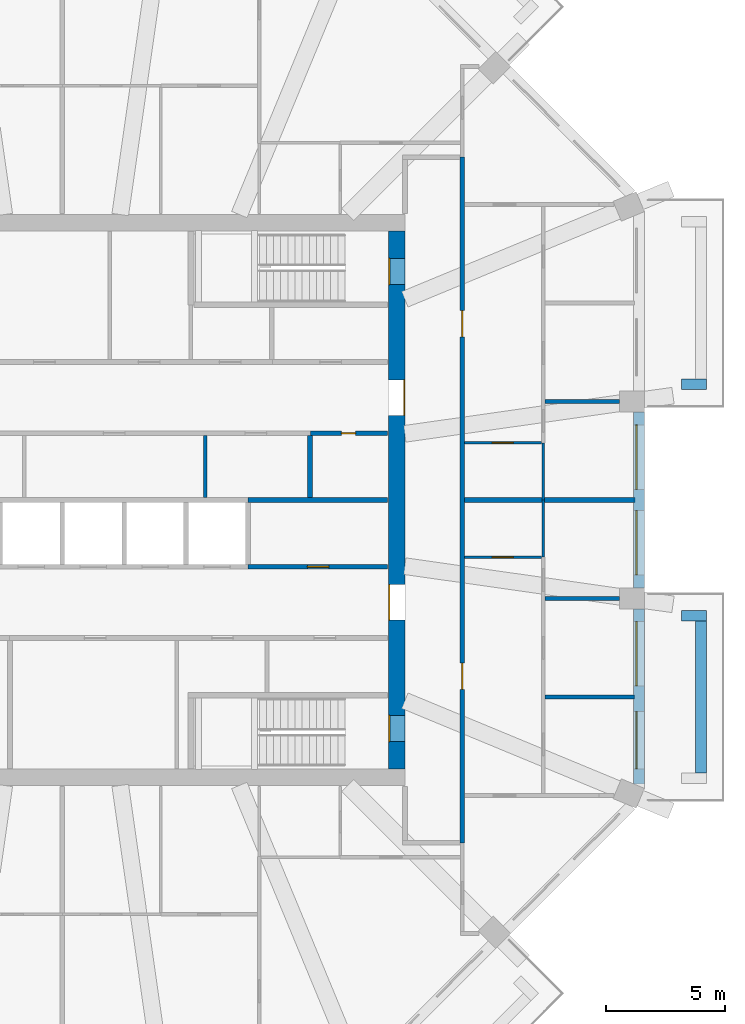
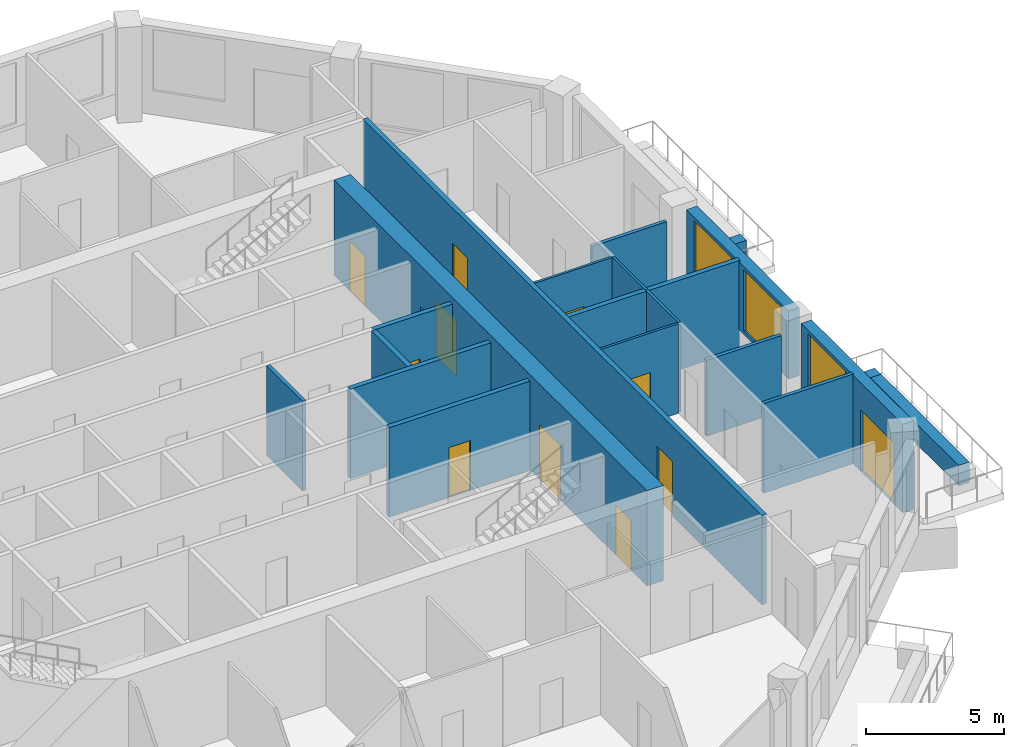
# One storey, part 6 of 12: 20 walls, 11 doors, 3 windows, 14 openings.
"""IFC4 building model written with IfcOpenShell, lengths in metres."""

from ifc_helpers import new_model, si_unit, direction, frame, frame_2d, origin, place, context, subcontext, project, spatial, rectangle, extrude, material, layer, layer_set, type_object, element, fill, save


model = new_model("IFC4")

# Units and contexts
model_context = context("Model", 3, precision=1e-05, world=origin(), true_north=direction((0.0, 1.0)))
body_context = subcontext(model_context, "Body", "Model", "MODEL_VIEW")
ifc_project = project(units=[si_unit("LENGTHUNIT", "METRE"), si_unit("AREAUNIT", "SQUARE_METRE"), si_unit("VOLUMEUNIT", "CUBIC_METRE"), si_unit("PLANEANGLEUNIT", "RADIAN"), si_unit("MASSUNIT", "GRAM", prefix="KILO")], contexts=[model_context])

# Site, building, storey
site_placement = place(None, origin())
site = spatial("IfcSite", under=ifc_project, at=site_placement, CompositionType="ELEMENT")
building_placement = place(site_placement, origin())
building = spatial("IfcBuilding", under=site, at=building_placement, Name="Msitu Wima Residences", CompositionType="ELEMENT")
storey_placement = place(building_placement, frame((0.0, 0.0, 162.300048828125)))
storey = spatial("IfcBuildingStorey", under=building, at=storey_placement, Name="L37", CompositionType="ELEMENT", Elevation=162.300048828125)

# Walls
ifc_material_1 = material(Name="Facing brick")
ifc_layer_1 = layer(ifc_material_1, 0.06494140625, Name="Facing brick")
ifc_material_2 = material(Name="Concrete C40/50", Category="concrete")
ifc_layer_2 = layer(ifc_material_2, 0.156005859375, Name="Concrete C40/50")
ifc_material_3 = material(Name="Waterproofing membrane")
ifc_layer_3 = layer(ifc_material_3, 0.00390625, Name="Waterproofing membrane")
ifc_material_4 = material(Name="Planting soil and planting")
ifc_layer_4 = layer(ifc_material_4, 0.22509765625, Name="Planting soil and planting")
ifc_layer_set_1 = layer_set([ifc_layer_1, ifc_layer_2, ifc_layer_3, ifc_layer_4], Name="Concrete C40/50")
wall_type_1 = type_object("IfcWallType", Name="Balcony planter PLANTER PL450", PredefinedType="USERDEFINED", material=ifc_layer_set_1)
wall_1_placement = place(storey_placement, frame((26.824951171875, -11.461669921875, 0.0), z_axis=(0.0, 0.0, 1.0), x_axis=(0.0, 1.0, 0.0)))
element("IfcWall", 1, at=wall_1_placement, inside=storey, type_object=wall_type_1, Name="Balcony planter E0 L37", ObjectType="PLANTER", PredefinedType="USERDEFINED", context=body_context, shape_type="SweptSolid", body=[
    extrude(rectangle(XDim=6.37451171875, YDim=0.449951171875, at=frame_2d((3.187255859375, 0.0))), origin(), (0.0, 0.0, 1.0), 0.89990234375),
])
for number, where, z_axis, x_axis, name in (
    (2, (26.0, -4.8623046875, 0.0), (0.0, 0.0, 1.0), (1.0, 0.0, 0.0), "Balcony planter E0 L37"),
    (3, (26.0, 4.8623046875, 0.0), (0.0, 0.0, 1.0), (1.0, 0.0, 0.0), "Balcony planter E2 L37"),
):
    element("IfcWall", number, at=place(storey_placement, frame(where, z_axis=z_axis, x_axis=x_axis)), inside=storey, type_object=wall_type_1, Name=name, ObjectType="PLANTER", PredefinedType="USERDEFINED", context=body_context, shape_type="SweptSolid", body=[
        extrude(rectangle(XDim=1.050048828125, YDim=0.449951171875, at=frame_2d((0.52490234375, 0.0))), origin(), (0.0, 0.0, 1.0), 0.89990234375),
    ])

# Wall, openings, door, window
ifc_material_5 = material(Name="Brick (red buff mix)", Category="masonry")
ifc_layer_5 = layer(ifc_material_5, 0.449951171875)
ifc_layer_set_2 = layer_set([ifc_layer_5], Name="Brick (red buff mix)")
wall_type_2 = type_object("IfcWallType", Name="Brick infill wall BW450", PredefinedType="SOLIDWALL", material=ifc_layer_set_2)
wall_2_placement = place(storey_placement, frame((24.22509765625, -11.9248046875, 0.0), z_axis=(0.0, 0.0, 1.0), x_axis=(0.0, 1.0, 0.0)))
wall_2 = element("IfcWall", 4, at=wall_2_placement, inside=storey, type_object=wall_type_2, Name="Brick infill wall L37 E0", PredefinedType="SOLIDWALL", context=body_context, shape_type="SweptSolid", body=[
    extrude(rectangle(XDim=7.337646484375, YDim=0.449951171875, at=frame_2d((3.6689453125, 0.0))), origin(), (0.0, 0.0, 1.0), 3.89990234375),
])
opening_1_placement = place(wall_2_placement, frame((0.63427734375, 0.0, 0.0)))
opening_1 = element("IfcOpeningElement", 5, at=opening_1_placement, cuts=wall_2, Name="Opening D37.001", PredefinedType="OPENING", context=body_context, shape_type="SweptSolid", body=[
    extrude(rectangle(XDim=2.39990234375, YDim=2.699951171875, at=frame_2d((1.199951171875, 1.35009765625))), frame((0.0, 0.23486328125, 0.0), z_axis=(0.0, -1.0, 0.0), x_axis=(1.0, 0.0, 0.0)), (0.0, 0.0, 1.0), 0.469970703125),
])
opening_2_placement = place(wall_2_placement, frame((4.11865234375, 0.0, 1.050048828125)))
opening_2 = element("IfcOpeningElement", 6, at=opening_2_placement, cuts=wall_2, Name="Opening W37.001", PredefinedType="OPENING", context=body_context, shape_type="SweptSolid", body=[
    extrude(rectangle(XDim=2.699951171875, YDim=2.699951171875, at=frame_2d((1.35009765625, 1.35009765625))), frame((0.0, 0.23486328125, 0.0), z_axis=(0.0, -1.0, 0.0), x_axis=(1.0, 0.0, 0.0)), (0.0, 0.0, 1.0), 0.469970703125),
])
ifc_material_6 = material(Name="Anodised aluminium, bronze finish, clear low-emissivity double glazing", Category="aluminium")
door_type_1 = type_object("IfcDoorType", Name="Balcony door D2400x2700", OperationType="SLIDING_TO_LEFT", PredefinedType="DOOR", material=ifc_material_6)
door_1_placement = place(opening_1_placement, origin())
door_1 = element("IfcDoor", 7, at=door_1_placement, inside=storey, type_object=door_type_1, Name="Balcony door L37 E0", OperationType="SINGLE_SWING_LEFT", OverallHeight=2.699951171875, OverallWidth=2.39990234375, PredefinedType="DOOR", context=body_context, shape_type="SweptSolid", body=[
    extrude(rectangle(XDim=2.39990234375, YDim=2.699951171875, at=frame_2d((1.199951171875, 1.35009765625))), frame((0.0, 0.1298828125, 0.0), z_axis=(0.0, -1.0, 0.0), x_axis=(1.0, 0.0, 0.0)), (0.0, 0.0, 1.0), 0.050048828125),
])
fill(opening_1, door_1)
window_type = type_object("IfcWindowType", Name="Window W2700x2700", PartitioningType="DOUBLE_PANEL_VERTICAL", PredefinedType="WINDOW", material=ifc_material_6)
window_1_placement = place(opening_2_placement, origin())
window_1 = element("IfcWindow", 8, at=window_1_placement, inside=storey, type_object=window_type, Name="Window L37 E0.2", OverallHeight=2.699951171875, OverallWidth=2.699951171875, PartitioningType="SINGLE_PANEL", PredefinedType="WINDOW", context=body_context, shape_type="SweptSolid", body=[
    extrude(rectangle(XDim=2.699951171875, YDim=2.699951171875, at=frame_2d((1.35009765625, 1.35009765625))), frame((0.0, 0.135009765625, 0.0), z_axis=(0.0, -1.0, 0.0), x_axis=(1.0, 0.0, 0.0)), (0.0, 0.0, 1.0), 0.06005859375),
])
fill(opening_2, window_1)

# Wall, openings, windows
wall_3_placement = place(storey_placement, frame((24.22509765625, -3.687255859375, 0.89990234375), z_axis=(0.0, 0.0, 1.0), x_axis=(0.0, 1.0, 0.0)))
wall_3 = element("IfcWall", 9, at=wall_3_placement, inside=storey, type_object=wall_type_2, Name="Brick infill wall L37 E1", PredefinedType="SOLIDWALL", context=body_context, shape_type="SweptSolid", body=[
    extrude(rectangle(XDim=7.37451171875, YDim=0.449951171875, at=frame_2d((3.687255859375, 0.0))), origin(), (0.0, 0.0, 1.0), 3.0),
])
opening_3_placement = place(wall_3_placement, frame((0.537353515625, 0.0, 0.14990234375)))
opening_3 = element("IfcOpeningElement", 10, at=opening_3_placement, cuts=wall_3, Name="Opening W37.002", PredefinedType="OPENING", context=body_context, shape_type="SweptSolid", body=[
    extrude(rectangle(XDim=2.699951171875, YDim=2.699951171875, at=frame_2d((1.35009765625, 1.35009765625))), frame((0.0, 0.23486328125, 0.0), z_axis=(0.0, -1.0, 0.0), x_axis=(1.0, 0.0, 0.0)), (0.0, 0.0, 1.0), 0.469970703125),
])
opening_4_placement = place(wall_3_placement, frame((4.13720703125, 0.0, 0.14990234375)))
opening_4 = element("IfcOpeningElement", 11, at=opening_4_placement, cuts=wall_3, Name="Opening W37.003", PredefinedType="OPENING", context=body_context, shape_type="SweptSolid", body=[
    extrude(rectangle(XDim=2.699951171875, YDim=2.699951171875, at=frame_2d((1.35009765625, 1.35009765625))), frame((0.0, 0.23486328125, 0.0), z_axis=(0.0, -1.0, 0.0), x_axis=(1.0, 0.0, 0.0)), (0.0, 0.0, 1.0), 0.469970703125),
])
window_2_placement = place(opening_3_placement, origin())
window_2 = element("IfcWindow", 12, at=window_2_placement, inside=storey, type_object=window_type, Name="Window L37 E1.1", OverallHeight=2.699951171875, OverallWidth=2.699951171875, PartitioningType="SINGLE_PANEL", PredefinedType="WINDOW", context=body_context, shape_type="SweptSolid", body=[
    extrude(rectangle(XDim=2.699951171875, YDim=2.699951171875, at=frame_2d((1.35009765625, 1.35009765625))), frame((0.0, 0.135009765625, 0.0), z_axis=(0.0, -1.0, 0.0), x_axis=(1.0, 0.0, 0.0)), (0.0, 0.0, 1.0), 0.06005859375),
])
fill(opening_3, window_2)
window_3_placement = place(opening_4_placement, origin())
window_3 = element("IfcWindow", 13, at=window_3_placement, inside=storey, type_object=window_type, Name="Window L37 E1.2", OverallHeight=2.699951171875, OverallWidth=2.699951171875, PartitioningType="SINGLE_PANEL", PredefinedType="WINDOW", context=body_context, shape_type="SweptSolid", body=[
    extrude(rectangle(XDim=2.699951171875, YDim=2.699951171875, at=frame_2d((1.35009765625, 1.35009765625))), frame((0.0, 0.135009765625, 0.0), z_axis=(0.0, -1.0, 0.0), x_axis=(1.0, 0.0, 0.0)), (0.0, 0.0, 1.0), 0.06005859375),
])
fill(opening_4, window_3)

# Wall, openings, doors
ifc_material_7 = material(Name="Concrete C60/75", Category="concrete")
ifc_layer_6 = layer(ifc_material_7, 0.699951171875)
ifc_layer_set_3 = layer_set([ifc_layer_6], Name="Concrete C60/75")
wall_type_3 = type_object("IfcWallType", Name="Core wall CW700 C60/75", PredefinedType="SHEAR", material=ifc_layer_set_3)
wall_4_placement = place(storey_placement, frame((14.050048828125, -11.300048828125, 0.0), z_axis=(0.0, 0.0, 1.0), x_axis=(0.0, 1.0, 0.0)))
wall_4 = element("IfcWall", 14, at=wall_4_placement, inside=storey, type_object=wall_type_3, Name="Core wall", PredefinedType="SHEAR", context=body_context, shape_type="SweptSolid", body=[
    extrude(rectangle(XDim=22.60009765625, YDim=0.699951171875, at=frame_2d((11.300048828125, 0.0))), origin(), (0.0, 0.0, 1.0), 4.199951171875),
])
opening_5_placement = place(wall_4_placement, frame((20.35009765625, 0.0, 0.0)))
opening_5 = element("IfcOpeningElement", 15, at=opening_5_placement, cuts=wall_4, Name="Opening D37.084", PredefinedType="OPENING", context=body_context, shape_type="SweptSolid", body=[
    extrude(rectangle(XDim=1.10009765625, YDim=2.199951171875, at=frame_2d((0.550048828125, 1.10009765625))), frame((0.0, 0.35986328125, 0.0), z_axis=(0.0, -1.0, 0.0), x_axis=(1.0, 0.0, 0.0)), (0.0, 0.0, 1.0), 0.719970703125),
])
opening_6_placement = place(wall_4_placement, frame((1.14990234375, 0.0, 0.0)))
opening_6 = element("IfcOpeningElement", 16, at=opening_6_placement, cuts=wall_4, Name="Opening D37.085", PredefinedType="OPENING", context=body_context, shape_type="SweptSolid", body=[
    extrude(rectangle(XDim=1.10009765625, YDim=2.199951171875, at=frame_2d((0.550048828125, 1.10009765625))), frame((0.0, 0.35986328125, 0.0), z_axis=(0.0, -1.0, 0.0), x_axis=(1.0, 0.0, 0.0)), (0.0, 0.0, 1.0), 0.719970703125),
])
opening_7_placement = place(wall_4_placement, frame((14.85009765625, 0.0, 0.0)))
opening_7 = element("IfcOpeningElement", 17, at=opening_7_placement, cuts=wall_4, Name="Opening D37.073", PredefinedType="OPENING", context=body_context, shape_type="SweptSolid", body=[
    extrude(rectangle(XDim=1.5, YDim=2.39990234375, at=frame_2d((0.75, 1.199951171875))), frame((0.0, 0.35986328125, 0.0), z_axis=(0.0, -1.0, 0.0), x_axis=(1.0, 0.0, 0.0)), (0.0, 0.0, 1.0), 0.719970703125),
])
opening_8_placement = place(wall_4_placement, frame((6.25, 0.0, 0.0)))
opening_8 = element("IfcOpeningElement", 18, at=opening_8_placement, cuts=wall_4, Name="Opening D37.074", PredefinedType="OPENING", context=body_context, shape_type="SweptSolid", body=[
    extrude(rectangle(XDim=1.5, YDim=2.39990234375, at=frame_2d((0.75, 1.199951171875))), frame((0.0, 0.35986328125, 0.0), z_axis=(0.0, -1.0, 0.0), x_axis=(1.0, 0.0, 0.0)), (0.0, 0.0, 1.0), 0.719970703125),
])
ifc_material_8 = material(Name="Steel framed glazed door, fire resisting", Category="steel")
door_type_2 = type_object("IfcDoorType", Name="Lobby door D07 1500x2400", OperationType="DOUBLE_DOOR_SINGLE_SWING", PredefinedType="DOOR", material=ifc_material_8)
door_2_placement = place(opening_7_placement, origin())
door_2 = element("IfcDoor", 19, at=door_2_placement, inside=storey, type_object=door_type_2, Name="Lobby door", OperationType="DOUBLE_DOOR_SINGLE_SWING", OverallHeight=2.39990234375, OverallWidth=1.5, PredefinedType="DOOR", context=body_context, shape_type="SweptSolid", body=[
    extrude(rectangle(XDim=1.5, YDim=2.39990234375, at=frame_2d((0.75, 1.199951171875))), frame((0.0, -0.294921875, 0.0), z_axis=(0.0, -1.0, 0.0), x_axis=(1.0, 0.0, 0.0)), (0.0, 0.0, 1.0), 0.050048828125),
])
fill(opening_7, door_2)
door_3_placement = place(opening_8_placement, origin())
door_3 = element("IfcDoor", 20, at=door_3_placement, inside=storey, type_object=door_type_2, Name="Lobby door", OperationType="DOUBLE_DOOR_SINGLE_SWING", OverallHeight=2.39990234375, OverallWidth=1.5, PredefinedType="DOOR", context=body_context, shape_type="SweptSolid", body=[
    extrude(rectangle(XDim=1.5, YDim=2.39990234375, at=frame_2d((0.75, 1.199951171875))), frame((0.0, 0.34521484375, 0.0), z_axis=(0.0, -1.0, 0.0), x_axis=(1.0, 0.0, 0.0)), (0.0, 0.0, 1.0), 0.050048828125),
])
fill(opening_8, door_3)
ifc_material_9 = material(Name="Steel door, fire resisting, panic bar", Category="steel")
door_type_3 = type_object("IfcDoorType", Name="Stair door D06 1100x2200", OperationType="SINGLE_SWING_LEFT", PredefinedType="DOOR", material=ifc_material_9)
door_4_placement = place(opening_5_placement, origin())
door_4 = element("IfcDoor", 21, at=door_4_placement, inside=storey, type_object=door_type_3, Name="Stair door", OperationType="SINGLE_SWING_LEFT", OverallHeight=2.199951171875, OverallWidth=1.10009765625, PredefinedType="DOOR", context=body_context, shape_type="SweptSolid", body=[
    extrude(rectangle(XDim=1.10009765625, YDim=2.199951171875, at=frame_2d((0.550048828125, 1.10009765625))), frame((0.0, 0.34521484375, 0.0), z_axis=(0.0, -1.0, 0.0), x_axis=(1.0, 0.0, 0.0)), (0.0, 0.0, 1.0), 0.050048828125),
])
fill(opening_5, door_4)
door_5_placement = place(opening_6_placement, origin())
door_5 = element("IfcDoor", 22, at=door_5_placement, inside=storey, type_object=door_type_3, Name="Stair door", OperationType="SINGLE_SWING_RIGHT", OverallHeight=2.199951171875, OverallWidth=1.10009765625, PredefinedType="DOOR", context=body_context, shape_type="SweptSolid", body=[
    extrude(rectangle(XDim=1.10009765625, YDim=2.199951171875, at=frame_2d((0.550048828125, 1.10009765625))), frame((0.0, 0.34521484375, 0.0), z_axis=(0.0, -1.0, 0.0), x_axis=(1.0, 0.0, 0.0)), (0.0, 0.0, 1.0), 0.050048828125),
])
fill(opening_6, door_5)

ifc_material_10 = material(Name="Plaster")
ifc_layer_7 = layer(ifc_material_10, 0.011962890625, Name="Plaster")
ifc_material_11 = material(Name="Concrete blockwork", Category="masonry")
ifc_layer_8 = layer(ifc_material_11, 0.176025390625, Name="Concrete blockwork")
ifc_layer_9 = layer(ifc_material_10, 0.011962890625, Name="Plaster")
ifc_layer_set_4 = layer_set([ifc_layer_7, ifc_layer_8, ifc_layer_9], Name="Concrete blockwork")
wall_type_4 = type_object("IfcWallType", Name="Corridor wall FW200", PredefinedType="PARTITIONING", material=ifc_layer_set_4)
wall_5_placement = place(storey_placement, frame((16.800048828125, -14.39990234375, 0.0), z_axis=(0.0, 0.0, 1.0), x_axis=(0.0, 1.0, 0.0)))
wall_5 = element("IfcWall", 23, at=wall_5_placement, inside=storey, type_object=wall_type_4, Name="Corridor wall", PredefinedType="PARTITIONING", context=body_context, shape_type="SweptSolid", body=[
    extrude(rectangle(XDim=28.7998046875, YDim=0.199951171875, at=frame_2d((14.39990234375, 0.0))), origin(), (0.0, 0.0, 1.0), 3.949951171875),
])
opening_9_placement = place(wall_5_placement, frame((21.25, 0.0, 0.0)))
opening_9 = element("IfcOpeningElement", 24, at=opening_9_placement, cuts=wall_5, Name="Opening D37.011", PredefinedType="OPENING", context=body_context, shape_type="SweptSolid", body=[
    extrude(rectangle(XDim=1.10009765625, YDim=2.39990234375, at=frame_2d((0.550048828125, 1.199951171875))), frame((0.0, 0.10986328125, 0.0), z_axis=(0.0, -1.0, 0.0), x_axis=(1.0, 0.0, 0.0)), (0.0, 0.0, 1.0), 0.219970703125),
])
opening_10_placement = place(wall_5_placement, frame((6.449951171875, 0.0, 0.0)))
opening_10 = element("IfcOpeningElement", 25, at=opening_10_placement, cuts=wall_5, Name="Opening D37.047", PredefinedType="OPENING", context=body_context, shape_type="SweptSolid", body=[
    extrude(rectangle(XDim=1.10009765625, YDim=2.39990234375, at=frame_2d((0.550048828125, 1.199951171875))), frame((0.0, 0.10986328125, 0.0), z_axis=(0.0, -1.0, 0.0), x_axis=(1.0, 0.0, 0.0)), (0.0, 0.0, 1.0), 0.219970703125),
])
ifc_material_12 = material(Name="Timber flush door, fire resisting, self-closing", Category="wood")
door_type_4 = type_object("IfcDoorType", Name="Flat entrance door D01 1100x2400", OperationType="SINGLE_SWING_LEFT", PredefinedType="DOOR", material=ifc_material_12)
door_6_placement = place(opening_9_placement, origin())
door_6 = element("IfcDoor", 26, at=door_6_placement, inside=storey, type_object=door_type_4, Name="Flat entrance door", OperationType="SINGLE_SWING_LEFT", OverallHeight=2.39990234375, OverallWidth=1.10009765625, PredefinedType="DOOR", context=body_context, shape_type="SweptSolid", body=[
    extrude(rectangle(XDim=1.10009765625, YDim=2.39990234375, at=frame_2d((0.550048828125, 1.199951171875))), frame((0.0, 0.02490234375, 0.0), z_axis=(0.0, -1.0, 0.0), x_axis=(1.0, 0.0, 0.0)), (0.0, 0.0, 1.0), 0.050048828125),
])
fill(opening_9, door_6)
door_7_placement = place(opening_10_placement, origin())
door_7 = element("IfcDoor", 27, at=door_7_placement, inside=storey, type_object=door_type_4, Name="Flat entrance door", OperationType="SINGLE_SWING_RIGHT", OverallHeight=2.39990234375, OverallWidth=1.10009765625, PredefinedType="DOOR", context=body_context, shape_type="SweptSolid", body=[
    extrude(rectangle(XDim=1.10009765625, YDim=2.39990234375, at=frame_2d((0.550048828125, 1.199951171875))), frame((0.0, 0.02490234375, 0.0), z_axis=(0.0, -1.0, 0.0), x_axis=(1.0, 0.0, 0.0)), (0.0, 0.0, 1.0), 0.050048828125),
])
fill(opening_10, door_7)

# Walls
ifc_layer_10 = layer(ifc_material_10, 0.011962890625, Name="Plaster")
ifc_layer_11 = layer(ifc_material_11, 0.1259765625, Name="Concrete blockwork")
ifc_layer_12 = layer(ifc_material_10, 0.011962890625, Name="Plaster")
ifc_layer_set_5 = layer_set([ifc_layer_10, ifc_layer_11, ifc_layer_12], Name="Concrete blockwork")
wall_type_5 = type_object("IfcWallType", Name="Partition PW150", PredefinedType="PARTITIONING", material=ifc_layer_set_5)
wall_6_placement = place(storey_placement, frame((6.0, 0.10009765625, 0.0), z_axis=(0.0, 0.0, 1.0), x_axis=(0.0, 1.0, 0.0)))
element("IfcWall", 28, at=wall_6_placement, inside=storey, type_object=wall_type_5, Name="Partition", PredefinedType="PARTITIONING", context=body_context, shape_type="SweptSolid", body=[
    extrude(rectangle(XDim=2.599853515625, YDim=0.14990234375, at=frame_2d((1.2998046875, 0.0))), origin(), (0.0, 0.0, 1.0), 3.949951171875),
])
wall_7_placement = place(storey_placement, frame((20.27490234375, -8.2744140625, 0.0), z_axis=(0.0, 0.0, 1.0), x_axis=(1.0, 0.0, 0.0)))
element("IfcWall", 29, at=wall_7_placement, inside=storey, type_object=wall_type_5, Name="Partition", PredefinedType="PARTITIONING", context=body_context, shape_type="SweptSolid", body=[
    extrude(rectangle(XDim=3.75, YDim=0.14990234375, at=frame_2d((1.875, 0.0))), origin(), (0.0, 0.0, 1.0), 3.949951171875),
])
for number, where, z_axis, x_axis, name in (
    (30, (20.27490234375, -4.13720703125, 0.0), (0.0, 0.0, 1.0), (1.0, 0.0, 0.0), "Partition"),
    (31, (20.27490234375, 4.13720703125, 0.0), (0.0, 0.0, 1.0), (1.0, 0.0, 0.0), "Partition"),
):
    element("IfcWall", number, at=place(storey_placement, frame(where, z_axis=z_axis, x_axis=x_axis)), inside=storey, type_object=wall_type_5, Name=name, PredefinedType="PARTITIONING", context=body_context, shape_type="SweptSolid", body=[
        extrude(rectangle(XDim=3.125, YDim=0.14990234375, at=frame_2d((1.5625, 0.0))), origin(), (0.0, 0.0, 1.0), 3.349853515625),
    ])
ifc_layer_13 = layer(ifc_material_10, 0.011962890625, Name="Plaster")
ifc_material_13 = material(Name="Dense concrete blockwork", Category="masonry")
ifc_layer_14 = layer(ifc_material_13, 0.176025390625, Name="Dense concrete blockwork")
ifc_layer_15 = layer(ifc_material_10, 0.011962890625, Name="Plaster")
ifc_layer_set_6 = layer_set([ifc_layer_13, ifc_layer_14, ifc_layer_15], Name="Dense concrete blockwork")
wall_type_6 = type_object("IfcWallType", Name="Party wall PW200", PredefinedType="PARTITIONING", material=ifc_layer_set_6)
wall_8_placement = place(storey_placement, frame((16.89990234375, 0.0, 0.0), z_axis=(0.0, 0.0, 1.0), x_axis=(1.0, 0.0, 0.0)))
element("IfcWall", 32, at=wall_8_placement, inside=storey, type_object=wall_type_6, Name="Party wall", PredefinedType="PARTITIONING", context=body_context, shape_type="SweptSolid", body=[
    extrude(rectangle(XDim=7.155029296875, YDim=0.199951171875, at=frame_2d((3.57763671875, 0.0))), origin(), (0.0, 0.0, 1.0), 3.949951171875),
])

# Wall, opening, door
ifc_layer_16 = layer(ifc_material_10, 0.011962890625, Name="Plaster")
ifc_material_14 = material(Name="Reinforced concrete blockwork", Category="masonry")
ifc_layer_17 = layer(ifc_material_14, 0.176025390625, Name="Reinforced concrete blockwork")
ifc_layer_18 = layer(ifc_material_10, 0.011962890625, Name="Plaster")
ifc_layer_set_7 = layer_set([ifc_layer_16, ifc_layer_17, ifc_layer_18], Name="Reinforced concrete blockwork")
wall_type_7 = type_object("IfcWallType", Name="Plant and riser wall PL200", PredefinedType="PARTITIONING", material=ifc_layer_set_7)
wall_9_placement = place(storey_placement, frame((7.800048828125, -2.800048828125, 0.0), z_axis=(0.0, 0.0, 1.0), x_axis=(1.0, 0.0, 0.0)))
wall_9 = element("IfcWall", 33, at=wall_9_placement, inside=storey, type_object=wall_type_7, Name="Plant and riser wall", PredefinedType="PARTITIONING", context=body_context, shape_type="SweptSolid", body=[
    extrude(rectangle(XDim=5.869873046875, YDim=0.199951171875, at=frame_2d((2.93505859375, 0.0))), origin(), (0.0, 0.0, 1.0), 3.949951171875),
])
opening_11_placement = place(wall_9_placement, frame((2.5, 0.0, 0.0)))
opening_11 = element("IfcOpeningElement", 34, at=opening_11_placement, cuts=wall_9, Name="Opening D37.059", PredefinedType="OPENING", context=body_context, shape_type="SweptSolid", body=[
    extrude(rectangle(XDim=0.89990234375, YDim=2.199951171875, at=frame_2d((0.449951171875, 1.10009765625))), frame((0.0, 0.10986328125, 0.0), z_axis=(0.0, -1.0, 0.0), x_axis=(1.0, 0.0, 0.0)), (0.0, 0.0, 1.0), 0.219970703125),
])
ifc_material_15 = material(Name="Timber flush door", Category="wood")
door_type_5 = type_object("IfcDoorType", Name="Service door D05 900x2200", OperationType="SINGLE_SWING_LEFT", PredefinedType="DOOR", material=ifc_material_15)
door_8_placement = place(opening_11_placement, origin())
door_8 = element("IfcDoor", 35, at=door_8_placement, inside=storey, type_object=door_type_5, Name="Service door", OperationType="SINGLE_SWING_LEFT", OverallHeight=2.199951171875, OverallWidth=0.89990234375, PredefinedType="DOOR", context=body_context, shape_type="SweptSolid", body=[
    extrude(rectangle(XDim=0.89990234375, YDim=2.199951171875, at=frame_2d((0.449951171875, 1.10009765625))), frame((0.0, 0.02490234375, 0.0), z_axis=(0.0, -1.0, 0.0), x_axis=(1.0, 0.0, 0.0)), (0.0, 0.0, 1.0), 0.050048828125),
])
fill(opening_11, door_8)

# Wall
wall_10_placement = place(storey_placement, frame((7.800048828125, 0.0, 0.0), z_axis=(0.0, 0.0, 1.0), x_axis=(1.0, 0.0, 0.0)))
element("IfcWall", 36, at=wall_10_placement, inside=storey, type_object=wall_type_7, Name="Plant and riser wall", PredefinedType="PARTITIONING", context=body_context, shape_type="SweptSolid", body=[
    extrude(rectangle(XDim=5.869873046875, YDim=0.199951171875, at=frame_2d((2.93505859375, 0.0))), origin(), (0.0, 0.0, 1.0), 3.949951171875),
])

# Wall, opening, door
wall_11_placement = place(storey_placement, frame((10.419921875, 2.800048828125, 0.0), z_axis=(0.0, 0.0, 1.0), x_axis=(1.0, 0.0, 0.0)))
wall_11 = element("IfcWall", 37, at=wall_11_placement, inside=storey, type_object=wall_type_7, Name="Plant and riser wall", PredefinedType="PARTITIONING", context=body_context, shape_type="SweptSolid", body=[
    extrude(rectangle(XDim=3.25, YDim=0.199951171875, at=frame_2d((1.625, 0.0))), origin(), (0.0, 0.0, 1.0), 3.949951171875),
])
opening_12_placement = place(wall_11_placement, frame((1.300048828125, 0.0, 0.0)))
opening_12 = element("IfcOpeningElement", 38, at=opening_12_placement, cuts=wall_11, Name="Opening D37.078", PredefinedType="OPENING", context=body_context, shape_type="SweptSolid", body=[
    extrude(rectangle(XDim=0.60009765625, YDim=2.0, at=frame_2d((0.300048828125, 1.0))), frame((0.0, 0.10986328125, 0.0), z_axis=(0.0, -1.0, 0.0), x_axis=(1.0, 0.0, 0.0)), (0.0, 0.0, 1.0), 0.219970703125),
])
ifc_material_16 = material(Name="Steel access door, fire resisting", Category="steel")
door_type_6 = type_object("IfcDoorType", Name="Riser access door D08 600x2000", OperationType="SINGLE_SWING_LEFT", PredefinedType="DOOR", material=ifc_material_16)
door_9_placement = place(opening_12_placement, origin())
door_9 = element("IfcDoor", 39, at=door_9_placement, inside=storey, type_object=door_type_6, Name="Riser access door", OperationType="SINGLE_SWING_RIGHT", OverallHeight=2.0, OverallWidth=0.60009765625, PredefinedType="DOOR", context=body_context, shape_type="SweptSolid", body=[
    extrude(rectangle(XDim=0.60009765625, YDim=2.0, at=frame_2d((0.300048828125, 1.0))), frame((0.0, 0.02490234375, 0.0), z_axis=(0.0, -1.0, 0.0), x_axis=(1.0, 0.0, 0.0)), (0.0, 0.0, 1.0), 0.050048828125),
])
fill(opening_12, door_9)

# Wall
wall_12_placement = place(storey_placement, frame((10.39990234375, 0.10009765625, 0.0), z_axis=(0.0, 0.0, 1.0), x_axis=(0.0, 1.0, 0.0)))
element("IfcWall", 40, at=wall_12_placement, inside=storey, type_object=wall_type_7, Name="Plant and riser wall", PredefinedType="PARTITIONING", context=body_context, shape_type="SweptSolid", body=[
    extrude(rectangle(XDim=2.599853515625, YDim=0.199951171875, at=frame_2d((1.2998046875, 0.0))), origin(), (0.0, 0.0, 1.0), 3.949951171875),
])

# Wall, opening, door
ifc_material_17 = material(Name="Ceramic tiles")
ifc_layer_19 = layer(ifc_material_17, 0.008056640625, Name="Ceramic tiles")
ifc_material_18 = material(Name="Moisture-resistant board")
ifc_layer_20 = layer(ifc_material_18, 0.012451171875, Name="Moisture-resistant board")
ifc_material_19 = material(Name="Light-gauge stud framing with mineral wool")
ifc_layer_21 = layer(ifc_material_19, 0.06689453125, Name="Light-gauge stud framing with mineral wool")
ifc_layer_22 = layer(ifc_material_18, 0.012451171875, Name="Moisture-resistant board")
ifc_layer_set_8 = layer_set([ifc_layer_19, ifc_layer_20, ifc_layer_21, ifc_layer_22], Name="Light-gauge stud framing with mineral wool")
wall_type_8 = type_object("IfcWallType", Name="Wet wall PW100", PredefinedType="PARTITIONING", material=ifc_layer_set_8)
wall_13_placement = place(storey_placement, frame((16.89990234375, -2.39990234375, 0.0), z_axis=(0.0, 0.0, 1.0), x_axis=(1.0, 0.0, 0.0)))
wall_13 = element("IfcWall", 41, at=wall_13_placement, inside=storey, type_object=wall_type_8, Name="Wet wall", PredefinedType="PARTITIONING", context=body_context, shape_type="SweptSolid", body=[
    extrude(rectangle(XDim=3.22509765625, YDim=0.10009765625, at=frame_2d((1.612548828125, 0.0))), origin(), (0.0, 0.0, 1.0), 3.949951171875),
])
opening_13_placement = place(wall_13_placement, frame((1.14990234375, 0.0, 0.0)))
opening_13 = element("IfcOpeningElement", 42, at=opening_13_placement, cuts=wall_13, Name="Opening D37.048", PredefinedType="OPENING", context=body_context, shape_type="SweptSolid", body=[
    extrude(rectangle(XDim=0.89990234375, YDim=2.199951171875, at=frame_2d((0.449951171875, 1.10009765625))), frame((0.0, 0.06005859375, 0.0), z_axis=(0.0, -1.0, 0.0), x_axis=(1.0, 0.0, 0.0)), (0.0, 0.0, 1.0), 0.1201171875),
])
ifc_material_20 = material(Name="Timber flush door, moisture resistant", Category="wood")
door_type_7 = type_object("IfcDoorType", Name="Bathroom door D03 900x2200", OperationType="SINGLE_SWING_LEFT", PredefinedType="DOOR", material=ifc_material_20)
door_10_placement = place(opening_13_placement, origin())
door_10 = element("IfcDoor", 43, at=door_10_placement, inside=storey, type_object=door_type_7, Name="Bathroom door", OperationType="SINGLE_SWING_LEFT", OverallHeight=2.199951171875, OverallWidth=0.89990234375, PredefinedType="DOOR", context=body_context, shape_type="SweptSolid", body=[
    extrude(rectangle(XDim=0.89990234375, YDim=2.199951171875, at=frame_2d((0.449951171875, 1.10009765625))), frame((0.0, 0.02490234375, 0.0), z_axis=(0.0, -1.0, 0.0), x_axis=(1.0, 0.0, 0.0)), (0.0, 0.0, 1.0), 0.050048828125),
])
fill(opening_13, door_10)

wall_14_placement = place(storey_placement, frame((16.89990234375, 2.39990234375, 0.0), z_axis=(0.0, 0.0, 1.0), x_axis=(1.0, 0.0, 0.0)))
wall_14 = element("IfcWall", 44, at=wall_14_placement, inside=storey, type_object=wall_type_8, Name="Wet wall", PredefinedType="PARTITIONING", context=body_context, shape_type="SweptSolid", body=[
    extrude(rectangle(XDim=3.22509765625, YDim=0.10009765625, at=frame_2d((1.612548828125, 0.0))), origin(), (0.0, 0.0, 1.0), 3.949951171875),
])
opening_14_placement = place(wall_14_placement, frame((1.14990234375, 0.0, 0.0)))
opening_14 = element("IfcOpeningElement", 45, at=opening_14_placement, cuts=wall_14, Name="Opening D37.012", PredefinedType="OPENING", context=body_context, shape_type="SweptSolid", body=[
    extrude(rectangle(XDim=0.89990234375, YDim=2.199951171875, at=frame_2d((0.449951171875, 1.10009765625))), frame((0.0, 0.06005859375, 0.0), z_axis=(0.0, -1.0, 0.0), x_axis=(1.0, 0.0, 0.0)), (0.0, 0.0, 1.0), 0.1201171875),
])
door_11_placement = place(opening_14_placement, origin())
door_11 = element("IfcDoor", 46, at=door_11_placement, inside=storey, type_object=door_type_7, Name="Bathroom door", OperationType="SINGLE_SWING_RIGHT", OverallHeight=2.199951171875, OverallWidth=0.89990234375, PredefinedType="DOOR", context=body_context, shape_type="SweptSolid", body=[
    extrude(rectangle(XDim=0.89990234375, YDim=2.199951171875, at=frame_2d((0.449951171875, 1.10009765625))), frame((0.0, 0.02490234375, 0.0), z_axis=(0.0, -1.0, 0.0), x_axis=(1.0, 0.0, 0.0)), (0.0, 0.0, 1.0), 0.050048828125),
])
fill(opening_14, door_11)

# Walls
for number, where, z_axis, x_axis, name in (
    (47, (20.199951171875, -2.39990234375, 0.0), (0.0, 0.0, 1.0), (0.0, 1.0, 0.0), "Wet wall"),
    (48, (20.199951171875, 0.0, 0.0), (0.0, 0.0, 1.0), (0.0, 1.0, 0.0), "Wet wall"),
):
    element("IfcWall", number, at=place(storey_placement, frame(where, z_axis=z_axis, x_axis=x_axis)), inside=storey, type_object=wall_type_8, Name=name, PredefinedType="PARTITIONING", context=body_context, shape_type="SweptSolid", body=[
        extrude(rectangle(XDim=2.39990234375, YDim=0.10009765625, at=frame_2d((1.199951171875, 0.0))), origin(), (0.0, 0.0, 1.0), 3.949951171875),
    ])

save(model, "model.ifc")
